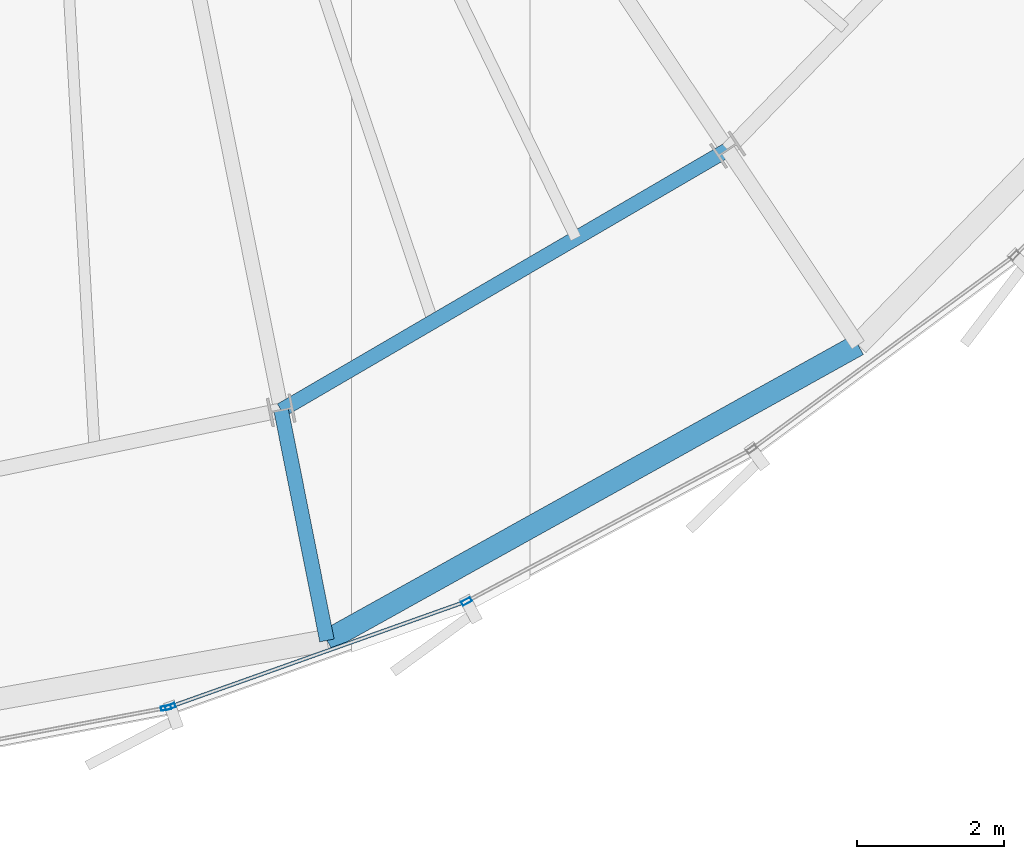
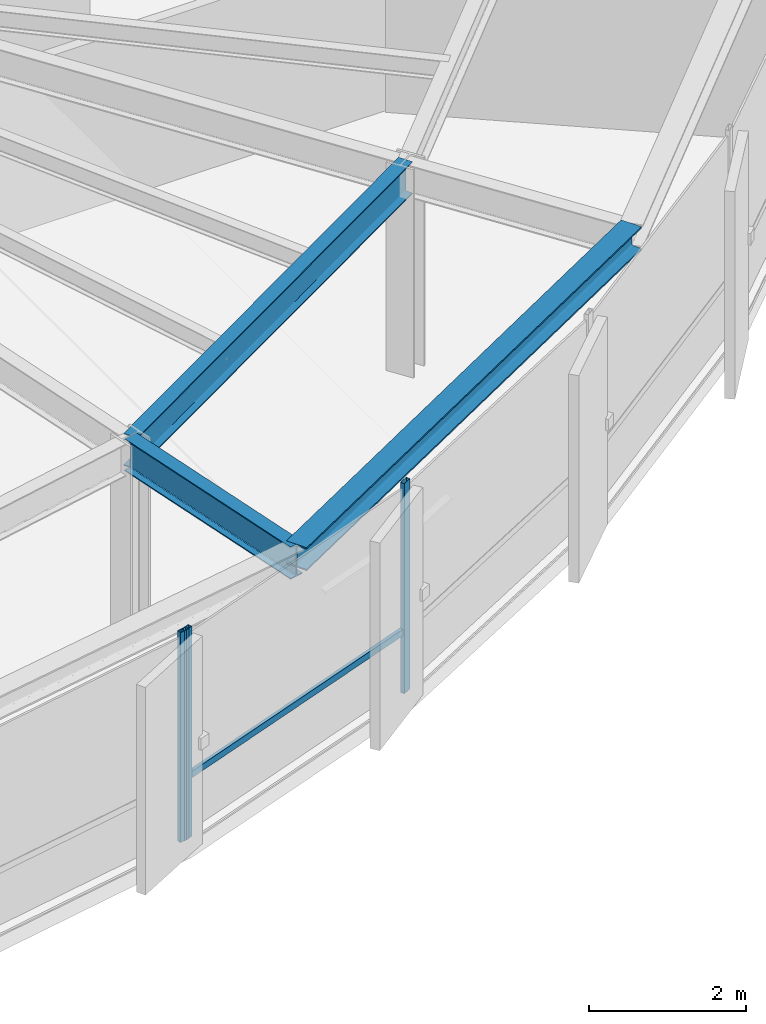
# One storey, part 8 of 36: 4 members, 3 beams, 2 elements without a shape of their own.
"""IFC4 building model written with IfcOpenShell, lengths in metres."""

from ifc_helpers import new_model, si_unit, direction, frame, origin, origin_2d, place, context, subcontext, project, spatial, hollow_rectangle, i_section, extrude, source, transform, mapped, material, layer, layer_set, material_profile, profile_set, type_object, element, aggregate, save


model = new_model("IFC4")

# Units and contexts
model_context = context("Model", 3, precision=1e-05, world=origin(), true_north=direction((0.0, 1.0)))
body_context = subcontext(model_context, "Body", "Model", "MODEL_VIEW")
ifc_project = project(units=[si_unit("LENGTHUNIT", "METRE"), si_unit("AREAUNIT", "SQUARE_METRE"), si_unit("VOLUMEUNIT", "CUBIC_METRE"), si_unit("PLANEANGLEUNIT", "RADIAN"), si_unit("MASSUNIT", "GRAM", prefix="KILO"), si_unit("THERMODYNAMICTEMPERATUREUNIT", "KELVIN")], contexts=[model_context])

# Site, building, storey
site_placement = place(None, origin())
site = spatial("IfcSite", under=ifc_project, at=site_placement, CompositionType="ELEMENT")
building_placement = place(site_placement, origin())
building = spatial("IfcBuilding", under=site, at=building_placement, Name="Kethvar Cultural Tower", CompositionType="ELEMENT")
storey_placement = place(building_placement, frame((0.0, 0.0, 197.39990234375)))
storey = spatial("IfcBuildingStorey", under=building, at=storey_placement, Name="L51", CompositionType="ELEMENT", Elevation=197.39990234375)

# Beams
ifc_material_1 = material(Name="Steel S355J2", Category="steel")
ifc_material_profile_1 = material_profile(ifc_material_1, i_section(OverallWidth=0.199951171875, OverallDepth=0.5, WebThickness=0.01025390625, FlangeThickness=0.01611328125, FilletRadius=0.02099609375, at=origin_2d()), Name="Steel S355J2 — IPE500")
ifc_profile_set_1 = profile_set([ifc_material_profile_1], Name="Steel S355J2 — IPE500")
beam_type_1 = type_object("IfcBeamType", Name="BM-IPE500", PredefinedType="BEAM", material=ifc_profile_set_1)
shared_shape_1 = source(origin(), body_context, "Body", "SweptSolid", [
    extrude(i_section(OverallWidth=0.199951171875, OverallDepth=0.5, WebThickness=0.01025390625, FlangeThickness=0.01611328125, FilletRadius=0.02099609375, at=origin_2d()), origin(), (0.0, 0.0, 1.0), 3.199951171875),
])
beam_1_placement = place(storey_placement, frame((50.38671875, 9.7685546875, 3.008056640625), z_axis=(0.195088965533, -0.980785550224, 0.0), x_axis=(0.980785550224, 0.195088965533, 0.0)))
element("IfcBeam", 1, at=beam_1_placement, inside=storey, type_object=beam_type_1, Name="L51 Perimeter Cantilever Beam RC-13", PredefinedType="BEAM", context=body_context, shape_type="MappedRepresentation", body=[
    mapped(shared_shape_1, transform((0.0, 0.0, 0.0), scale=1.0)),
])
shared_shape_2 = source(origin(), body_context, "Body", "SweptSolid", [
    extrude(i_section(OverallWidth=0.199951171875, OverallDepth=0.5, WebThickness=0.01025390625, FlangeThickness=0.01611328125, FilletRadius=0.02099609375, at=origin_2d()), origin(), (0.0, 0.0, 1.0), 7.048583984375),
])
beam_2_placement = place(storey_placement, frame((50.38671875, 9.7685546875, 3.008056640625), z_axis=(0.863718593305, 0.503974395757, 0.0), x_axis=(-0.503974395757, 0.863718593305, 0.0)))
element("IfcBeam", 2, at=beam_2_placement, inside=storey, type_object=beam_type_1, Name="L51 Column Ring Tie Beam CR-13", PredefinedType="BEAM", context=body_context, shape_type="MappedRepresentation", body=[
    mapped(shared_shape_2, transform((0.0, 0.0, 0.0), scale=1.0)),
])
ifc_material_profile_2 = material_profile(ifc_material_1, i_section(OverallWidth=0.300048828125, OverallDepth=0.360107421875, WebThickness=0.012451171875, FlangeThickness=0.0224609375, FilletRadius=0.027099609375, at=origin_2d()), Name="Steel S355J2 — HEB360")
ifc_profile_set_2 = profile_set([ifc_material_profile_2], Name="Steel S355J2 — HEB360")
beam_type_2 = type_object("IfcBeamType", Name="BM-SP360", PredefinedType="SPANDREL", material=ifc_profile_set_2)
shared_shape_3 = source(origin(), body_context, "Body", "SweptSolid", [
    extrude(i_section(OverallWidth=0.300048828125, OverallDepth=0.360107421875, WebThickness=0.012451171875, FlangeThickness=0.0224609375, FilletRadius=0.027099609375, at=origin_2d()), origin(), (0.0, 0.0, 1.0), 8.287353515625),
])
beam_3_placement = place(storey_placement, frame((51.010986328125, 6.630126953125, 3.078125), z_axis=(0.873798521244, 0.486288128862, 0.0), x_axis=(-0.486288128862, 0.873798521244, 0.0)))
element("IfcBeam", 3, at=beam_3_placement, inside=storey, type_object=beam_type_2, Name="L51 Perimeter Spandrel Beam SP-13", PredefinedType="SPANDREL", context=body_context, shape_type="MappedRepresentation", body=[
    mapped(shared_shape_3, transform((0.0, 0.0, 0.0), scale=1.0)),
])

# Curtain wall, member
ifc_material_2 = material(Name="Aluminium 6063-T6", Category="aluminium")
ifc_layer = layer(ifc_material_2, 0.179931640625, Name="Aluminium 6063-T6", Category="aluminium")
ifc_layer_set = layer_set([ifc_layer], Name="Aluminium 6063-T6 (180 mm)")
curtain_wall_type = type_object("IfcCurtainWallType", Name="CW-SYS-04-Z34", PredefinedType="NOTDEFINED", material=ifc_layer_set)
curtain_wall_1_placement = place(storey_placement, origin())
curtain_wall_1 = element("IfcCurtainWall", 4, at=curtain_wall_1_placement, inside=storey, type_object=curtain_wall_type, Name="L51 Curtain Wall Run 04", PredefinedType="NOTDEFINED")
ifc_material_profile_3 = material_profile(ifc_material_2, hollow_rectangle(XDim=0.06005859375, YDim=0.139892578125, WallThickness=0.0048828125, at=origin_2d()), Name="Aluminium 6063-T6 — RHS140x60x5")
ifc_profile_set_3 = profile_set([ifc_material_profile_3], Name="Aluminium 6063-T6 — RHS140x60x5")
member_type_1 = type_object("IfcMemberType", Name="CW-SYS-04-Z34-MUL", PredefinedType="MULLION", material=ifc_profile_set_3)
shared_shape_4 = source(origin(), body_context, "Body", "SweptSolid", [
    extrude(hollow_rectangle(XDim=0.06005859375, YDim=0.139892578125, WallThickness=0.0048828125, at=origin_2d()), origin(), (0.0, 0.0, 1.0), 3.260009765625),
])
member_1_placement = place(storey_placement, frame((48.81689453125, 5.711181640625, 0.0), z_axis=(0.0, 0.0, 1.0), x_axis=(-0.184706136457, 0.982793794829, 0.0)))
member_1 = element("IfcMember", 5, at=member_1_placement, type_object=member_type_1, Name="CW-L51-R04 Mullion 7", PredefinedType="MULLION", context=body_context, shape_type="MappedRepresentation", body=[
    mapped(shared_shape_4, transform((0.0, 0.0, 0.0), scale=1.0)),
])
aggregate(curtain_wall_1, [member_1])

# Curtain wall, members
curtain_wall_2_placement = place(storey_placement, origin())
curtain_wall_2 = element("IfcCurtainWall", 6, at=curtain_wall_2_placement, inside=storey, type_object=curtain_wall_type, Name="L51 Curtain Wall Run 05", PredefinedType="NOTDEFINED")
member_2_placement = place(storey_placement, frame((48.87548828125, 5.72705078125, 0.0), z_axis=(0.0, 0.0, 1.0), x_axis=(-0.335106265136, 0.94218033893, 0.0)))
member_2 = element("IfcMember", 7, at=member_2_placement, type_object=member_type_1, Name="CW-L51-R05 Mullion 1", PredefinedType="MULLION", context=body_context, shape_type="MappedRepresentation", body=[
    mapped(shared_shape_4, transform((0.0, 0.0, 0.0), scale=1.0)),
])
member_3_placement = place(storey_placement, frame((52.91357421875, 7.161865234375, 0.0), z_axis=(0.0, 0.0, 1.0), x_axis=(-0.471212017331, 0.882019974107, 0.0)))
member_3 = element("IfcMember", 8, at=member_3_placement, type_object=member_type_1, Name="CW-L51-R05 Mullion 2", PredefinedType="MULLION", context=body_context, shape_type="MappedRepresentation", body=[
    mapped(shared_shape_4, transform((0.0, 0.0, 0.0), scale=1.0)),
])
ifc_material_profile_4 = material_profile(ifc_material_2, hollow_rectangle(XDim=0.050048828125, YDim=0.10009765625, WallThickness=0.00390625, at=origin_2d()), Name="Aluminium 6063-T6 — RHS100x50x4")
ifc_profile_set_4 = profile_set([ifc_material_profile_4], Name="Aluminium 6063-T6 — RHS100x50x4")
member_type_2 = type_object("IfcMemberType", Name="CW-SYS-04-Z34-TRN", PredefinedType="USERDEFINED", material=ifc_profile_set_4)
shared_shape_5 = source(origin(), body_context, "Body", "SweptSolid", [
    extrude(hollow_rectangle(XDim=0.050048828125, YDim=0.10009765625, WallThickness=0.00390625, at=origin_2d()), origin(), (0.0, 0.0, 1.0), 4.254150390625),
])
member_4_placement = place(storey_placement, frame((48.87939453125, 5.728515625, 0.9501953125), z_axis=(0.942187716869, 0.335085520697, 0.0), x_axis=(-0.335085520697, 0.942187716869, 0.0)))
member_4 = element("IfcMember", 9, at=member_4_placement, type_object=member_type_2, Name="CW-L51-R05 Transom 1", ObjectType="TRANSOM", PredefinedType="USERDEFINED", context=body_context, shape_type="MappedRepresentation", body=[
    mapped(shared_shape_5, transform((0.0, 0.0, 0.0), scale=1.0)),
])
aggregate(curtain_wall_2, [member_2, member_3, member_4])

save(model, "model.ifc")
